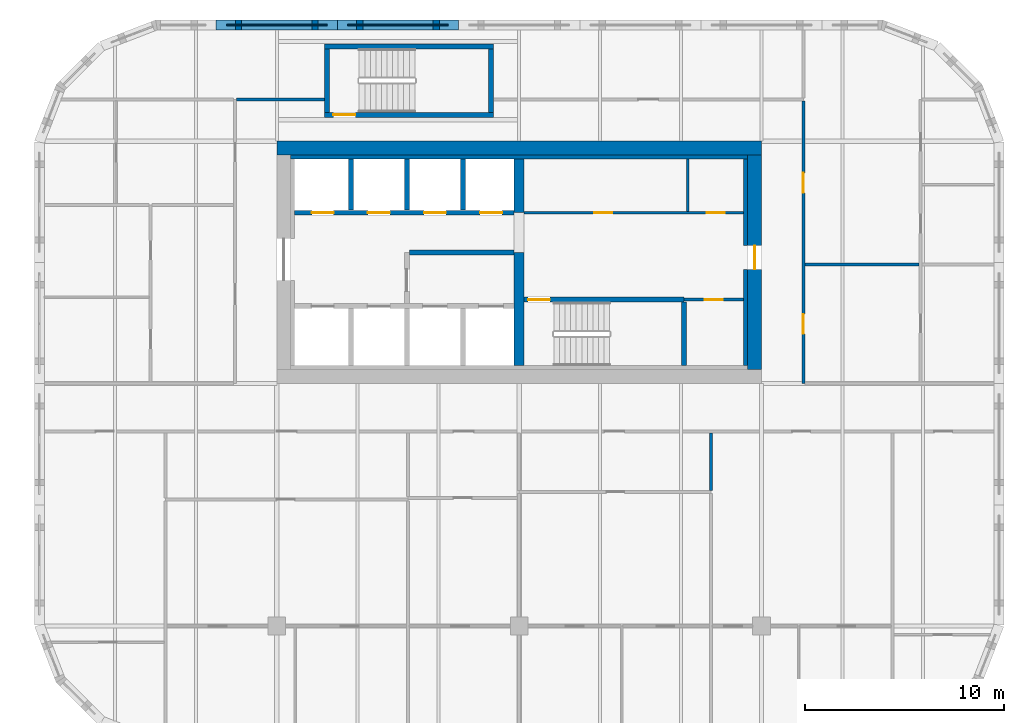
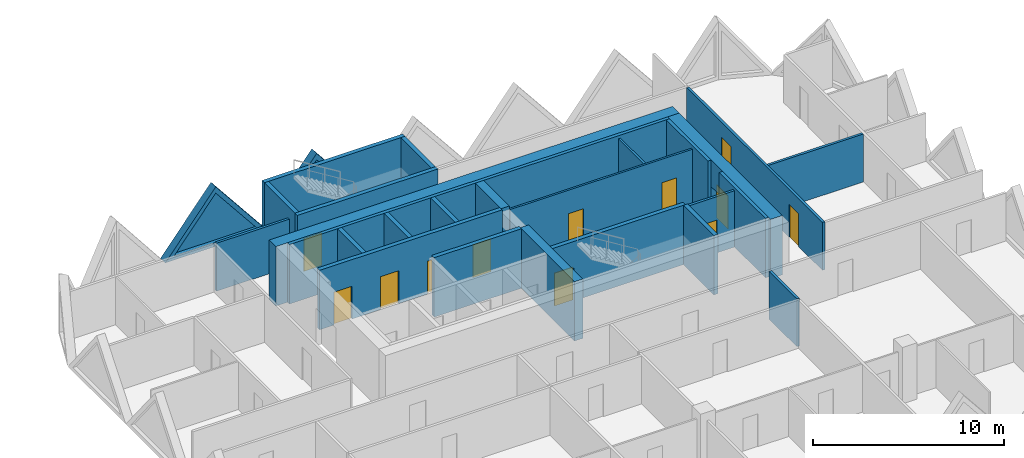
# One storey, part 14 of 19: 27 walls, 12 doors, 2 plates, 14 openings.
"""IFC4 building model written with IfcOpenShell, lengths in metres."""

from ifc_helpers import new_model, si_unit, direction, frame, frame_2d, origin, place, context, subcontext, project, spatial, polyline, rectangle, outline, extrude, faceted_brep, source, transform, mapped, material, layer, layer_set, type_object, element, fill, save


model = new_model("IFC4")

# Units and contexts
model_context = context("Model", 3, precision=1e-05, world=origin(), true_north=direction((0.0, 1.0)))
body_context = subcontext(model_context, "Body", "Model", "MODEL_VIEW")
ifc_project = project(units=[si_unit("LENGTHUNIT", "METRE"), si_unit("AREAUNIT", "SQUARE_METRE"), si_unit("VOLUMEUNIT", "CUBIC_METRE"), si_unit("PLANEANGLEUNIT", "RADIAN"), si_unit("MASSUNIT", "GRAM", prefix="KILO")], contexts=[model_context])

# Site, building, storey
site_placement = place(None, origin())
site = spatial("IfcSite", under=ifc_project, at=site_placement, CompositionType="ELEMENT")
building_placement = place(site_placement, origin())
building = spatial("IfcBuilding", under=site, at=building_placement, Name="Tessera Gate Towers", CompositionType="ELEMENT")
storey_placement = place(building_placement, frame((0.0, 0.0, 25.800048828125)))
storey = spatial("IfcBuildingStorey", under=building, at=storey_placement, Name="L05", CompositionType="ELEMENT", Elevation=25.800048828125)

# Wall, openings, doors
ifc_material_1 = material(Name="Concrete C40/50", Category="concrete")
ifc_layer_1 = layer(ifc_material_1, 0.25)
ifc_layer_set_1 = layer_set([ifc_layer_1], Name="CORE ENCLOSURE WALL 250")
wall_type_1 = type_object("IfcWallType", Name="CORE ENCLOSURE WALL 250", PredefinedType="SOLIDWALL", material=ifc_layer_set_1)
wall_1_placement = place(storey_placement, frame((109.550048828125, 45.199951171875, 0.0), z_axis=(0.0, 0.0, 1.0), x_axis=(-1.0, 0.0, 0.0)))
wall_1 = element("IfcWall", 1, at=wall_1_placement, inside=storey, type_object=wall_type_1, Name="L05 shaft and stair enclosure wall", PredefinedType="SOLIDWALL", context=body_context, shape_type="SweptSolid", body=[
    extrude(rectangle(XDim=11.050048828125, YDim=0.25, at=frame_2d((5.52490234375, 0.0))), origin(), (0.0, 0.0, 1.0), 3.800048828125),
])
shared_shape_1 = source(origin(), body_context, "Body", "SweptSolid", [
    extrude(rectangle(XDim=1.10009765625, YDim=2.10009765625, at=frame_2d((0.550048828125, 1.050048828125))), frame((0.0, 0.135009765625, 0.0), z_axis=(0.0, -1.0, 0.0), x_axis=(1.0, 0.0, 0.0)), (0.0, 0.0, 1.0), 0.27001953125),
])
opening_1_placement = place(wall_1_placement, frame((9.08740234375, 0.0, 0.0)))
opening_1 = element("IfcOpeningElement", 2, at=opening_1_placement, cuts=wall_1, Name="Opening LD-TL3", PredefinedType="OPENING", context=body_context, shape_type="MappedRepresentation", body=[
    mapped(shared_shape_1, transform((0.0, 0.0, 0.0), scale=1.0)),
])
opening_2_placement = place(wall_1_placement, frame((6.262451171875, 0.0, 0.0)))
opening_2 = element("IfcOpeningElement", 3, at=opening_2_placement, cuts=wall_1, Name="Opening LD-TL4", PredefinedType="OPENING", context=body_context, shape_type="MappedRepresentation", body=[
    mapped(shared_shape_1, transform((0.0, 0.0, 0.0), scale=1.0)),
])
opening_3_placement = place(wall_1_placement, frame((3.4375, 0.0, 0.0)))
opening_3 = element("IfcOpeningElement", 4, at=opening_3_placement, cuts=wall_1, Name="Opening LD-TL5", PredefinedType="OPENING", context=body_context, shape_type="MappedRepresentation", body=[
    mapped(shared_shape_1, transform((0.0, 0.0, 0.0), scale=1.0)),
])
opening_4_placement = place(wall_1_placement, frame((0.612548828125, 0.0, 0.0)))
opening_4 = element("IfcOpeningElement", 5, at=opening_4_placement, cuts=wall_1, Name="Opening LD-TL6", PredefinedType="OPENING", context=body_context, shape_type="MappedRepresentation", body=[
    mapped(shared_shape_1, transform((0.0, 0.0, 0.0), scale=1.0)),
])
ifc_material_2 = material(Name="Stainless steel", Category="steel")
door_type_1 = type_object("IfcDoorType", Name="CORE DOOR LD 1100x2100", OperationType="DOUBLE_DOOR_SLIDING", PredefinedType="DOOR", material=ifc_material_2)
shared_shape_2 = source(origin(), body_context, "Body", "SweptSolid", [
    extrude(rectangle(XDim=1.10009765625, YDim=2.10009765625, at=frame_2d((0.550048828125, 1.050048828125))), frame((0.0, 0.02490234375, 0.0), z_axis=(0.0, -1.0, 0.0), x_axis=(1.0, 0.0, 0.0)), (0.0, 0.0, 1.0), 0.050048828125),
])
door_1_placement = place(opening_1_placement, origin())
door_1 = element("IfcDoor", 6, at=door_1_placement, inside=storey, type_object=door_type_1, Name="Landing door TL3 L05", OperationType="DOUBLE_DOOR_SLIDING", OverallHeight=2.10009765625, OverallWidth=1.10009765625, PredefinedType="DOOR", context=body_context, shape_type="MappedRepresentation", body=[
    mapped(shared_shape_2, transform((0.0, 0.0, 0.0), scale=1.0)),
])
fill(opening_1, door_1)
door_2_placement = place(opening_2_placement, origin())
door_2 = element("IfcDoor", 7, at=door_2_placement, inside=storey, type_object=door_type_1, Name="Landing door TL4 L05", OperationType="DOUBLE_DOOR_SLIDING", OverallHeight=2.10009765625, OverallWidth=1.10009765625, PredefinedType="DOOR", context=body_context, shape_type="MappedRepresentation", body=[
    mapped(shared_shape_2, transform((0.0, 0.0, 0.0), scale=1.0)),
])
fill(opening_2, door_2)
door_3_placement = place(opening_3_placement, origin())
door_3 = element("IfcDoor", 8, at=door_3_placement, inside=storey, type_object=door_type_1, Name="Landing door TL5 L05", OperationType="DOUBLE_DOOR_SLIDING", OverallHeight=2.10009765625, OverallWidth=1.10009765625, PredefinedType="DOOR", context=body_context, shape_type="MappedRepresentation", body=[
    mapped(shared_shape_2, transform((0.0, 0.0, 0.0), scale=1.0)),
])
fill(opening_3, door_3)
door_4_placement = place(opening_4_placement, origin())
door_4 = element("IfcDoor", 9, at=door_4_placement, inside=storey, type_object=door_type_1, Name="Landing door TL6 L05", OperationType="DOUBLE_DOOR_SLIDING", OverallHeight=2.10009765625, OverallWidth=1.10009765625, PredefinedType="DOOR", context=body_context, shape_type="MappedRepresentation", body=[
    mapped(shared_shape_2, transform((0.0, 0.0, 0.0), scale=1.0)),
])
fill(opening_4, door_4)

# Wall, opening, door
wall_2_placement = place(storey_placement, frame((118.10009765625, 40.824951171875, 0.0), z_axis=(0.0, 0.0, 1.0), x_axis=(-1.0, 0.0, 0.0)))
wall_2 = element("IfcWall", 10, at=wall_2_placement, inside=storey, type_object=wall_type_1, Name="L05 shaft and stair enclosure wall", PredefinedType="SOLIDWALL", context=body_context, shape_type="SweptSolid", body=[
    extrude(rectangle(XDim=8.050048828125, YDim=0.25, at=frame_2d((4.02490234375, 0.0))), origin(), (0.0, 0.0, 1.0), 3.800048828125),
])
opening_5_placement = place(wall_2_placement, frame((6.75, 0.0, 0.0)))
opening_5 = element("IfcOpeningElement", 11, at=opening_5_placement, cuts=wall_2, Name="Opening SD-ST6-1", PredefinedType="OPENING", context=body_context, shape_type="MappedRepresentation", body=[
    mapped(shared_shape_1, transform((0.0, 0.0, 0.0), scale=1.0)),
])
ifc_material_3 = material(Name="Hollow steel fire door", Category="steel")
door_type_2 = type_object("IfcDoorType", Name="CORE DOOR SD1100 1100x2100", OperationType="NOTDEFINED", PredefinedType="DOOR", material=ifc_material_3)
door_5_placement = place(opening_5_placement, origin())
door_5 = element("IfcDoor", 12, at=door_5_placement, inside=storey, type_object=door_type_2, Name="Stair door", OperationType="SINGLE_SWING_RIGHT", OverallHeight=2.10009765625, OverallWidth=1.10009765625, PredefinedType="DOOR", context=body_context, shape_type="MappedRepresentation", body=[
    mapped(shared_shape_2, transform((0.0, 0.0, 0.0), scale=1.0)),
])
fill(opening_5, door_5)

# Walls
wall_3_placement = place(storey_placement, frame((104.27490234375, 43.199951171875, 0.0), z_axis=(0.0, 0.0, 1.0), x_axis=(1.0, 0.0, 0.0)))
element("IfcWall", 13, at=wall_3_placement, inside=storey, type_object=wall_type_1, Name="L05 shaft and stair enclosure wall", PredefinedType="SOLIDWALL", context=body_context, shape_type="SweptSolid", body=[
    extrude(rectangle(XDim=5.275146484375, YDim=0.25, at=frame_2d((2.6376953125, 0.0))), origin(), (0.0, 0.0, 1.0), 3.800048828125),
])
wall_4_placement = place(storey_placement, frame((118.10009765625, 37.5, 0.0), z_axis=(0.0, 0.0, 1.0), x_axis=(0.0, 1.0, 0.0)))
element("IfcWall", 14, at=wall_4_placement, inside=storey, type_object=wall_type_1, Name="L05 shaft and stair enclosure wall", PredefinedType="SOLIDWALL", context=body_context, shape_type="SweptSolid", body=[
    extrude(rectangle(XDim=3.199951171875, YDim=0.25, at=frame_2d((1.60009765625, 0.0))), origin(), (0.0, 0.0, 1.0), 3.800048828125),
])
for number, where, z_axis, x_axis, name in (
    (15, (101.324951171875, 45.324951171875, 0.0), (0.0, 0.0, 1.0), (0.0, 1.0, 0.0), "L05 shaft and stair enclosure wall"),
    (16, (104.14990234375, 45.324951171875, 0.0), (0.0, 0.0, 1.0), (0.0, 1.0, 0.0), "L05 shaft and stair enclosure wall"),
    (17, (106.97509765625, 45.324951171875, 0.0), (0.0, 0.0, 1.0), (0.0, 1.0, 0.0), "L05 shaft and stair enclosure wall"),
):
    element("IfcWall", number, at=place(storey_placement, frame(where, z_axis=z_axis, x_axis=x_axis)), inside=storey, type_object=wall_type_1, Name=name, PredefinedType="SOLIDWALL", context=body_context, shape_type="SweptSolid", body=[
        extrude(rectangle(XDim=2.574951171875, YDim=0.25, at=frame_2d((1.28759765625, 0.0))), origin(), (0.0, 0.0, 1.0), 3.800048828125),
    ])

# Wall, opening, door
wall_5_placement = place(storey_placement, frame((108.5, 50.125, 0.0), z_axis=(0.0, 0.0, 1.0), x_axis=(-1.0, 0.0, 0.0)))
wall_5 = element("IfcWall", 18, at=wall_5_placement, inside=storey, type_object=wall_type_1, Name="L05 ST7 enclosure wall", PredefinedType="SOLIDWALL", context=body_context, shape_type="SweptSolid", body=[
    extrude(rectangle(XDim=8.5, YDim=0.25, at=frame_2d((4.25, 0.0))), origin(), (0.0, 0.0, 1.0), 3.800048828125),
])
opening_6_placement = place(wall_5_placement, frame((6.949951171875, 0.0, 0.0)))
opening_6 = element("IfcOpeningElement", 19, at=opening_6_placement, cuts=wall_5, Name="Opening SD-ST7-1", PredefinedType="OPENING", context=body_context, shape_type="MappedRepresentation", body=[
    mapped(shared_shape_1, transform((0.0, 0.0, 0.0), scale=1.0)),
])
door_6_placement = place(opening_6_placement, origin())
door_6 = element("IfcDoor", 20, at=door_6_placement, inside=storey, type_object=door_type_2, Name="Stair door", OperationType="SINGLE_SWING_RIGHT", OverallHeight=2.10009765625, OverallWidth=1.10009765625, PredefinedType="DOOR", context=body_context, shape_type="MappedRepresentation", body=[
    mapped(shared_shape_2, transform((0.0, 0.0, 0.0), scale=1.0)),
])
fill(opening_6, door_6)

# Walls
wall_6_placement = place(storey_placement, frame((100.125, 50.25, 0.0), z_axis=(0.0, 0.0, 1.0), x_axis=(0.0, 1.0, 0.0)))
element("IfcWall", 21, at=wall_6_placement, inside=storey, type_object=wall_type_1, Name="L05 ST7 enclosure wall", PredefinedType="SOLIDWALL", context=body_context, shape_type="SweptSolid", body=[
    extrude(rectangle(XDim=3.199951171875, YDim=0.25, at=frame_2d((1.60009765625, 0.0))), origin(), (0.0, 0.0, 1.0), 3.800048828125),
])
wall_7_placement = place(storey_placement, frame((100.0, 53.574951171875, 0.0), z_axis=(0.0, 0.0, 1.0), x_axis=(1.0, 0.0, 0.0)))
element("IfcWall", 22, at=wall_7_placement, inside=storey, type_object=wall_type_1, Name="L05 ST7 enclosure wall", PredefinedType="SOLIDWALL", context=body_context, shape_type="SweptSolid", body=[
    extrude(rectangle(XDim=8.5, YDim=0.25, at=frame_2d((4.25, 0.0))), origin(), (0.0, 0.0, 1.0), 3.800048828125),
])
wall_8_placement = place(storey_placement, frame((108.375, 53.449951171875, 0.0), z_axis=(0.0, 0.0, 1.0), x_axis=(0.0, -1.0, 0.0)))
element("IfcWall", 23, at=wall_8_placement, inside=storey, type_object=wall_type_1, Name="L05 ST7 enclosure wall", PredefinedType="SOLIDWALL", context=body_context, shape_type="SweptSolid", body=[
    extrude(rectangle(XDim=3.199951171875, YDim=0.25, at=frame_2d((1.60009765625, 0.0))), origin(), (0.0, 0.0, 1.0), 3.800048828125),
])

# Wall, openings, doors
ifc_material_4 = material(Name="Gypsum board on steel studs", Category="steel")
ifc_layer_2 = layer(ifc_material_4, 0.1201171875)
ifc_layer_set_2 = layer_set([ifc_layer_2], Name="CORE PARTITION 120")
wall_type_2 = type_object("IfcWallType", Name="CORE PARTITION 120", PredefinedType="PARTITIONING", material=ifc_layer_set_2)
wall_9_placement = place(storey_placement, frame((110.050048828125, 45.199951171875, 0.0), z_axis=(0.0, 0.0, 1.0), x_axis=(1.0, 0.0, 0.0)))
wall_9 = element("IfcWall", 24, at=wall_9_placement, inside=storey, type_object=wall_type_2, Name="L05 core partition", PredefinedType="PARTITIONING", context=body_context, shape_type="SweptSolid", body=[
    extrude(rectangle(XDim=11.050048828125, YDim=0.1201171875, at=frame_2d((5.52490234375, 0.0))), origin(), (0.0, 0.0, 1.0), 3.599853515625),
])
shared_shape_3 = source(origin(), body_context, "Body", "SweptSolid", [
    extrude(rectangle(XDim=0.89990234375, YDim=2.10009765625, at=frame_2d((0.449951171875, 1.050048828125))), frame((0.0, 0.070068359375, 0.0), z_axis=(0.0, -1.0, 0.0), x_axis=(1.0, 0.0, 0.0)), (0.0, 0.0, 1.0), 0.14013671875),
])
opening_7_placement = place(wall_9_placement, frame((3.53759765625, 0.0, 0.0)))
opening_7 = element("IfcOpeningElement", 25, at=opening_7_placement, cuts=wall_9, Name="Opening RD-T2-06-04", PredefinedType="OPENING", context=body_context, shape_type="MappedRepresentation", body=[
    mapped(shared_shape_3, transform((0.0, 0.0, 0.0), scale=1.0)),
])
opening_8_placement = place(wall_9_placement, frame((9.1875, 0.0, 0.0)))
opening_8 = element("IfcOpeningElement", 26, at=opening_8_placement, cuts=wall_9, Name="Opening RD-T2-06-05", PredefinedType="OPENING", context=body_context, shape_type="MappedRepresentation", body=[
    mapped(shared_shape_3, transform((0.0, 0.0, 0.0), scale=1.0)),
])
ifc_material_5 = material(Name="Hollow steel fire door", Category="steel")
door_type_3 = type_object("IfcDoorType", Name="CORE DOOR RD 900x2100", OperationType="NOTDEFINED", PredefinedType="DOOR", material=ifc_material_5)
shared_shape_4 = source(origin(), body_context, "Body", "SweptSolid", [
    extrude(rectangle(XDim=0.89990234375, YDim=2.10009765625, at=frame_2d((0.449951171875, 1.050048828125))), frame((0.0, 0.02490234375, 0.0), z_axis=(0.0, -1.0, 0.0), x_axis=(1.0, 0.0, 0.0)), (0.0, 0.0, 1.0), 0.050048828125),
])
door_7_placement = place(opening_7_placement, origin())
door_7 = element("IfcDoor", 27, at=door_7_placement, inside=storey, type_object=door_type_3, Name="Core room door", OperationType="SINGLE_SWING_LEFT", OverallHeight=2.10009765625, OverallWidth=0.89990234375, PredefinedType="DOOR", context=body_context, shape_type="MappedRepresentation", body=[
    mapped(shared_shape_4, transform((0.0, 0.0, 0.0), scale=1.0)),
])
fill(opening_7, door_7)
door_8_placement = place(opening_8_placement, origin())
door_8 = element("IfcDoor", 28, at=door_8_placement, inside=storey, type_object=door_type_3, Name="Core room door", OperationType="SINGLE_SWING_RIGHT", OverallHeight=2.10009765625, OverallWidth=0.89990234375, PredefinedType="DOOR", context=body_context, shape_type="MappedRepresentation", body=[
    mapped(shared_shape_4, transform((0.0, 0.0, 0.0), scale=1.0)),
])
fill(opening_8, door_8)

# Walls
wall_10_placement = place(storey_placement, frame((118.27490234375, 45.260009765625, 0.0), z_axis=(0.0, 0.0, 1.0), x_axis=(0.0, 1.0, 0.0)))
element("IfcWall", 29, at=wall_10_placement, inside=storey, type_object=wall_type_2, Name="L05 core partition", PredefinedType="PARTITIONING", context=body_context, shape_type="SweptSolid", body=[
    extrude(rectangle(XDim=2.639892578125, YDim=0.1201171875, at=frame_2d((1.31982421875, 0.0))), origin(), (0.0, 0.0, 1.0), 3.599853515625),
])
ifc_material_6 = material(Name="Concrete C60/75", Category="concrete")
ifc_layer_3 = layer(ifc_material_6, 0.699951171875)
ifc_layer_set_3 = layer_set([ifc_layer_3], Name="CORE SHEAR WALL 700 C60/75")
wall_type_3 = type_object("IfcWallType", Name="CORE SHEAR WALL 700 C60/75", PredefinedType="SHEAR", material=ifc_layer_set_3)
wall_11_placement = place(storey_placement, frame((97.60009765625, 48.449951171875, 0.0), z_axis=(0.0, 0.0, 1.0), x_axis=(1.0, 0.0, 0.0)))
element("IfcWall", 30, at=wall_11_placement, inside=storey, type_object=wall_type_3, Name="Core wall N L05", PredefinedType="SHEAR", context=body_context, shape_type="SweptSolid", body=[
    extrude(rectangle(XDim=24.39990234375, YDim=0.699951171875, at=frame_2d((12.199951171875, 0.0))), origin(), (0.0, 0.0, 1.0), 3.800048828125),
])

# Wall, opening, door
wall_12_placement = place(storey_placement, frame((121.64990234375, 48.10009765625, 0.0), z_axis=(0.0, 0.0, 1.0), x_axis=(0.0, -1.0, 0.0)))
wall_12 = element("IfcWall", 31, at=wall_12_placement, inside=storey, type_object=wall_type_3, Name="Core wall E L05", PredefinedType="SHEAR", context=body_context, shape_type="SweptSolid", body=[
    extrude(rectangle(XDim=10.800048828125, YDim=0.699951171875, at=frame_2d((5.39990234375, 0.0))), origin(), (0.0, 0.0, 1.0), 3.800048828125),
])
shared_shape_5 = source(origin(), body_context, "Body", "SweptSolid", [
    extrude(rectangle(XDim=1.199951171875, YDim=2.10009765625, at=frame_2d((0.60009765625, 1.050048828125))), frame((0.0, 0.35986328125, 0.0), z_axis=(0.0, -1.0, 0.0), x_axis=(1.0, 0.0, 0.0)), (0.0, 0.0, 1.0), 0.719970703125),
])
opening_9_placement = place(wall_12_placement, frame((4.550048828125, 0.0, 0.0)))
opening_9 = element("IfcOpeningElement", 32, at=opening_9_placement, cuts=wall_12, Name="Opening ED-T2-06-02", PredefinedType="OPENING", context=body_context, shape_type="MappedRepresentation", body=[
    mapped(shared_shape_5, transform((0.0, 0.0, 0.0), scale=1.0)),
])
ifc_material_7 = material(Name="Hollow steel fire door", Category="steel")
door_type_4 = type_object("IfcDoorType", Name="CORE DOOR ED 1200x2100", OperationType="NOTDEFINED", PredefinedType="DOOR", material=ifc_material_7)
shared_shape_6 = source(origin(), body_context, "Body", "SweptSolid", [
    extrude(rectangle(XDim=1.199951171875, YDim=2.10009765625, at=frame_2d((0.60009765625, 1.050048828125))), frame((0.0, 0.02490234375, 0.0), z_axis=(0.0, -1.0, 0.0), x_axis=(1.0, 0.0, 0.0)), (0.0, 0.0, 1.0), 0.050048828125),
])
door_9_placement = place(opening_9_placement, origin())
door_9 = element("IfcDoor", 33, at=door_9_placement, inside=storey, type_object=door_type_4, Name="Core exit door", OperationType="SINGLE_SWING_LEFT", OverallHeight=2.10009765625, OverallWidth=1.199951171875, PredefinedType="DOOR", context=body_context, shape_type="MappedRepresentation", body=[
    mapped(shared_shape_6, transform((0.0, 0.0, 0.0), scale=1.0)),
])
fill(opening_9, door_9)

# Walls
ifc_material_8 = material(Name="Concrete C60/75", Category="concrete")
ifc_layer_4 = layer(ifc_material_8, 0.5)
ifc_layer_set_4 = layer_set([ifc_layer_4], Name="CORE SPINE WALL 500 C60/75")
wall_type_4 = type_object("IfcWallType", Name="CORE SPINE WALL 500 C60/75", PredefinedType="SHEAR", material=ifc_layer_set_4)
wall_13_placement = place(storey_placement, frame((109.800048828125, 37.5, 0.0), z_axis=(0.0, 0.0, 1.0), x_axis=(0.0, 1.0, 0.0)))
element("IfcWall", 34, at=wall_13_placement, inside=storey, type_object=wall_type_4, Name="Core wall spine L05", PredefinedType="SHEAR", context=body_context, shape_type="SweptSolid", body=[
    extrude(rectangle(XDim=5.699951171875, YDim=0.5, at=frame_2d((2.85009765625, 0.0))), origin(), (0.0, 0.0, 1.0), 3.800048828125),
])
wall_14_placement = place(storey_placement, frame((109.800048828125, 45.199951171875, 0.0), z_axis=(0.0, 0.0, 1.0), x_axis=(0.0, 1.0, 0.0)))
element("IfcWall", 35, at=wall_14_placement, inside=storey, type_object=wall_type_4, Name="Core wall spine L05", PredefinedType="SHEAR", context=body_context, shape_type="SweptSolid", body=[
    extrude(rectangle(XDim=2.699951171875, YDim=0.5, at=frame_2d((1.35009765625, 0.0))), origin(), (0.0, 0.0, 1.0), 3.800048828125),
])
ifc_material_9 = material(Name="Concrete C60/75", Category="concrete")
ifc_layer_5 = layer(ifc_material_9, 0.199951171875)
ifc_layer_set_5 = layer_set([ifc_layer_5], Name="CORE WALL THICKENING 200")
wall_type_5 = type_object("IfcWallType", Name="CORE WALL THICKENING 200", PredefinedType="SOLIDWALL", material=ifc_layer_set_5)
wall_15_placement = place(storey_placement, frame((98.300048828125, 48.0, 0.0), z_axis=(0.0, 0.0, 1.0), x_axis=(1.0, 0.0, 0.0)))
element("IfcWall", 36, at=wall_15_placement, inside=storey, type_object=wall_type_5, Name="Core wall thickening N L05", PredefinedType="SOLIDWALL", context=body_context, shape_type="SweptSolid", body=[
    extrude(rectangle(XDim=23.0, YDim=0.199951171875, at=frame_2d((11.5, 0.0))), origin(), (0.0, 0.0, 1.0), 3.800048828125),
])
wall_16_placement = place(storey_placement, frame((121.199951171875, 37.5, 0.0), z_axis=(0.0, 0.0, 1.0), x_axis=(0.0, 1.0, 0.0)))
element("IfcWall", 37, at=wall_16_placement, inside=storey, type_object=wall_type_5, Name="Core wall thickening E L05", PredefinedType="SOLIDWALL", context=body_context, shape_type="SweptSolid", body=[
    extrude(rectangle(XDim=4.85009765625, YDim=0.199951171875, at=frame_2d((2.425048828125, 0.0))), origin(), (0.0, 0.0, 1.0), 3.800048828125),
])
wall_17_placement = place(storey_placement, frame((121.199951171875, 43.550048828125, 0.0), z_axis=(0.0, 0.0, 1.0), x_axis=(0.0, 1.0, 0.0)))
element("IfcWall", 38, at=wall_17_placement, inside=storey, type_object=wall_type_5, Name="Core wall thickening E L05", PredefinedType="SOLIDWALL", context=body_context, shape_type="SweptSolid", body=[
    extrude(rectangle(XDim=4.349853515625, YDim=0.199951171875, at=frame_2d((2.1748046875, 0.0))), origin(), (0.0, 0.0, 1.0), 3.800048828125),
])

# Wall, openings, doors
ifc_material_10 = material(Name="Gypsum board on steel studs, mineral wool", Category="steel")
ifc_layer_6 = layer(ifc_material_10, 0.14990234375)
ifc_layer_set_6 = layer_set([ifc_layer_6], Name="CORRIDOR WALL 150")
wall_type_6 = type_object("IfcWallType", Name="CORRIDOR WALL 150", PredefinedType="PARTITIONING", material=ifc_layer_set_6)
wall_18_placement = place(storey_placement, frame((124.10009765625, 50.823974609375, 0.0), z_axis=(0.0, 0.0, 1.0), x_axis=(0.0, -1.0, 0.0)))
wall_18 = element("IfcWall", 39, at=wall_18_placement, inside=storey, type_object=wall_type_6, Name="T2-L05-PW-030", PredefinedType="PARTITIONING", context=body_context, shape_type="SweptSolid", body=[
    extrude(rectangle(XDim=14.223876953125, YDim=0.14990234375, at=frame_2d((7.11181640625, 0.0))), origin(), (0.0, 0.0, 1.0), 3.06689453125),
])
shared_shape_7 = source(origin(), body_context, "Body", "SweptSolid", [
    extrude(rectangle(XDim=1.0, YDim=2.10009765625, at=frame_2d((0.5, 1.050048828125))), frame((0.0, 0.0849609375, 0.0), z_axis=(0.0, -1.0, 0.0), x_axis=(1.0, 0.0, 0.0)), (0.0, 0.0, 1.0), 0.169921875),
])
opening_10_placement = place(wall_18_placement, frame((3.6240234375, 0.0, 0.0)))
opening_10 = element("IfcOpeningElement", 40, at=opening_10_placement, cuts=wall_18, Name="Opening D2100FD60-B03-02", PredefinedType="OPENING", context=body_context, shape_type="MappedRepresentation", body=[
    mapped(shared_shape_7, transform((0.0, 0.0, 0.0), scale=1.0)),
])
opening_11_placement = place(wall_18_placement, frame((10.72412109375, 0.0, 0.0)))
opening_11 = element("IfcOpeningElement", 41, at=opening_11_placement, cuts=wall_18, Name="Opening D2100FD60-B03-04", PredefinedType="OPENING", context=body_context, shape_type="MappedRepresentation", body=[
    mapped(shared_shape_7, transform((0.0, 0.0, 0.0), scale=1.0)),
])
ifc_material_11 = material(Name="Timber door leaf in steel frame", Category="steel")
door_type_5 = type_object("IfcDoorType", Name="TENANCY ENTRANCE DOOR 1000 FD60", OperationType="NOTDEFINED", PredefinedType="DOOR", material=ifc_material_11)
shared_shape_8 = source(origin(), body_context, "Body", "SweptSolid", [
    extrude(rectangle(XDim=1.0, YDim=2.10009765625, at=frame_2d((0.5, 1.050048828125))), frame((0.0, 0.02490234375, 0.0), z_axis=(0.0, -1.0, 0.0), x_axis=(1.0, 0.0, 0.0)), (0.0, 0.0, 1.0), 0.050048828125),
])
door_10_placement = place(opening_10_placement, origin())
door_10 = element("IfcDoor", 42, at=door_10_placement, inside=storey, type_object=door_type_5, Name="T2-L05-PD-021", OperationType="SINGLE_SWING_RIGHT", OverallHeight=2.10009765625, OverallWidth=1.0, PredefinedType="DOOR", context=body_context, shape_type="MappedRepresentation", body=[
    mapped(shared_shape_8, transform((0.0, 0.0, 0.0), scale=1.0)),
])
fill(opening_10, door_10)
door_11_placement = place(opening_11_placement, origin())
door_11 = element("IfcDoor", 43, at=door_11_placement, inside=storey, type_object=door_type_5, Name="T2-L05-PD-025", OperationType="SINGLE_SWING_RIGHT", OverallHeight=2.10009765625, OverallWidth=1.0, PredefinedType="DOOR", context=body_context, shape_type="MappedRepresentation", body=[
    mapped(shared_shape_8, transform((0.0, 0.0, 0.0), scale=1.0)),
])
fill(opening_11, door_11)

# Wall
wall_19_placement = place(storey_placement, frame((95.575927734375, 50.89990234375, 0.0), z_axis=(0.0, 0.0, 1.0), x_axis=(1.0, 0.0, 0.0)))
element("IfcWall", 44, at=wall_19_placement, inside=storey, type_object=wall_type_6, Name="T2-L05-PW-042", PredefinedType="PARTITIONING", context=body_context, shape_type="SweptSolid", body=[
    extrude(rectangle(XDim=4.424072265625, YDim=0.14990234375, at=frame_2d((2.2119140625, 0.0))), origin(), (0.0, 0.0, 1.0), 3.06689453125),
])

# Wall, opening, door
ifc_material_12 = material(Name="Gypsum board on steel studs", Category="steel")
ifc_layer_7 = layer(ifc_material_12, 0.14990234375)
ifc_layer_set_7 = layer_set([ifc_layer_7], Name="SERVICE ROOM WALL 150")
wall_type_7 = type_object("IfcWallType", Name="SERVICE ROOM WALL 150", PredefinedType="PARTITIONING", material=ifc_layer_set_7)
wall_20_placement = place(storey_placement, frame((121.10009765625, 40.824951171875, 0.0), z_axis=(0.0, 0.0, 1.0), x_axis=(-1.0, 0.0, 0.0)))
wall_20 = element("IfcWall", 45, at=wall_20_placement, inside=storey, type_object=wall_type_7, Name="L05 service room wall", PredefinedType="PARTITIONING", context=body_context, shape_type="SweptSolid", body=[
    extrude(rectangle(XDim=3.0, YDim=0.14990234375, at=frame_2d((1.5, 0.0))), origin(), (0.0, 0.0, 1.0), 3.599853515625),
])
shared_shape_9 = source(origin(), body_context, "Body", "SweptSolid", [
    extrude(rectangle(XDim=0.89990234375, YDim=2.10009765625, at=frame_2d((0.449951171875, 1.050048828125))), frame((0.0, 0.0849609375, 0.0), z_axis=(0.0, -1.0, 0.0), x_axis=(1.0, 0.0, 0.0)), (0.0, 0.0, 1.0), 0.169921875),
])
opening_12_placement = place(wall_20_placement, frame((1.050048828125, 0.0, 0.0)))
opening_12 = element("IfcOpeningElement", 46, at=opening_12_placement, cuts=wall_20, Name="Opening RD-T2-06-06", PredefinedType="OPENING", context=body_context, shape_type="MappedRepresentation", body=[
    mapped(shared_shape_9, transform((0.0, 0.0, 0.0), scale=1.0)),
])
door_12_placement = place(opening_12_placement, origin())
door_12 = element("IfcDoor", 47, at=door_12_placement, inside=storey, type_object=door_type_3, Name="Core room door", OperationType="SINGLE_SWING_RIGHT", OverallHeight=2.10009765625, OverallWidth=0.89990234375, PredefinedType="DOOR", context=body_context, shape_type="MappedRepresentation", body=[
    mapped(shared_shape_4, transform((0.0, 0.0, 0.0), scale=1.0)),
])
fill(opening_12, door_12)

# Walls
ifc_material_13 = material(Name="Gypsum board on steel studs, mineral wool", Category="steel")
ifc_layer_8 = layer(ifc_material_13, 0.14990234375)
ifc_layer_set_8 = layer_set([ifc_layer_8], Name="TENANCY WALL 150")
wall_type_8 = type_object("IfcWallType", Name="TENANCY WALL 150", PredefinedType="PARTITIONING", material=ifc_layer_set_8)
wall_21_placement = place(storey_placement, frame((119.449951171875, 31.22607421875, 0.0), z_axis=(0.0, 0.0, 1.0), x_axis=(0.0, 1.0, 0.0)))
element("IfcWall", 48, at=wall_21_placement, inside=storey, type_object=wall_type_8, Name="T2-L05-PW-026", PredefinedType="PARTITIONING", context=body_context, shape_type="SweptSolid", body=[
    extrude(rectangle(XDim=2.89794921875, YDim=0.14990234375, at=frame_2d((1.448974609375, 0.0))), origin(), (0.0, 0.0, 1.0), 3.06689453125),
])
wall_22_placement = place(storey_placement, frame((124.176025390625, 42.60009765625, 0.0), z_axis=(0.0, 0.0, 1.0), x_axis=(1.0, 0.0, 0.0)))
element("IfcWall", 49, at=wall_22_placement, inside=storey, type_object=wall_type_8, Name="T2-L05-PW-035", PredefinedType="PARTITIONING", context=body_context, shape_type="SweptSolid", body=[
    extrude(rectangle(XDim=5.748046875, YDim=0.14990234375, at=frame_2d((2.8740234375, 0.0))), origin(), (0.0, 0.0, 1.0), 3.06689453125),
])

# Wall, opening, plate
ifc_material_14 = material(Name="Precast concrete C60/75 white", Category="concrete")
ifc_layer_9 = layer(ifc_material_14, 0.5)
ifc_layer_set_9 = layer_set([ifc_layer_9], Name="TS2 half tessera")
wall_type_9 = type_object("IfcWallType", Name="TS2 half tessera", PredefinedType="SOLIDWALL", material=ifc_layer_set_9)
shared_shape_10 = source(origin(), body_context, "Body", "Brep", [
    faceted_brep([(6.099853515625, -0.25, 0.000244140625), (3.050048828125, -0.25, 3.800048828125), (0.0, -0.25, 0.0), (6.099853515625, -0.25, 0.0), (0.0, 0.25, 0.0), (3.050048828125, 0.25, 3.800048828125), (6.099853515625, 0.25, 0.000244140625), (6.099853515625, 0.25, 0.0)], [[[0, 1, 2, 3]], [[4, 5, 6, 7]], [[6, 5, 1, 0]], [[5, 4, 2, 1]], [[4, 7, 3, 2]], [[3, 7, 6, 0]]]),
])
wall_23_placement = place(storey_placement, frame((100.64990234375, 54.64990234375, 0.0), z_axis=(0.0, 0.0, 1.0), x_axis=(-1.0, 0.0, 0.0)))
wall_23 = element("IfcWall", 50, at=wall_23_placement, inside=storey, type_object=wall_type_9, Name="Precast half tessera T2 TS2-0049", PredefinedType="SOLIDWALL", context=body_context, shape_type="MappedRepresentation", body=[
    mapped(shared_shape_10, transform((0.0, 0.0, 0.0), scale=1.0)),
])
shared_shape_11 = source(origin(), body_context, "Body", "SweptSolid", [
    extrude(outline(polyline([(5.578857421875, 0.25), (3.050048828125, 3.400634765625), (0.521240234375, 0.25), (5.578857421875, 0.25)])), frame((0.0, 0.260009765625, 0.0), z_axis=(0.0, -1.0, 0.0), x_axis=(1.0, 0.0, 0.0)), (0.0, 0.0, 1.0), 0.52001953125),
])
opening_13_placement = place(wall_23_placement, origin())
opening_13 = element("IfcOpeningElement", 51, at=opening_13_placement, cuts=wall_23, Name="Opening T2-PL1-0091", PredefinedType="OPENING", context=body_context, shape_type="MappedRepresentation", body=[
    mapped(shared_shape_11, transform((0.0, 0.0, 0.0), scale=1.0)),
])
ifc_material_15 = material(Name="Low-e laminated glass", Category="glass")
ifc_layer_10 = layer(ifc_material_15, 0.06005859375)
ifc_layer_set_10 = layer_set([ifc_layer_10], Name="PL1 triangular pane")
plate_type = type_object("IfcPlateType", Name="PL1 triangular pane", PredefinedType="SHEET", material=ifc_layer_set_10)
shared_shape_12 = source(origin(), body_context, "Body", "SweptSolid", [
    extrude(outline(polyline([(5.578857421875, 0.25), (3.050048828125, 3.400634765625), (0.521240234375, 0.25), (5.578857421875, 0.25)])), frame((0.0, 0.030029296875, 0.0), z_axis=(0.0, -1.0, 0.0), x_axis=(1.0, 0.0, 0.0)), (0.0, 0.0, 1.0), 0.06005859375),
])
plate_1_placement = place(opening_13_placement, origin())
plate_1 = element("IfcPlate", 52, at=plate_1_placement, inside=storey, type_object=plate_type, Name="Glass pane T2 PL1-0091", PredefinedType="SHEET", context=body_context, shape_type="MappedRepresentation", body=[
    mapped(shared_shape_12, transform((0.0, 0.0, 0.0), scale=1.0)),
])
fill(opening_13, plate_1)

shared_shape_13 = source(origin(), body_context, "Body", "SweptSolid", [
    extrude(outline(polyline([(6.10009765625, 0.0), (3.050048828125, 3.800048828125), (0.0, 0.0), (6.10009765625, 0.0)])), frame((0.0, 0.25, 0.0), z_axis=(0.0, -1.0, 0.0), x_axis=(1.0, 0.0, 0.0)), (0.0, 0.0, 1.0), 0.5),
])
wall_24_placement = place(storey_placement, frame((106.75, 54.64990234375, 0.0), z_axis=(0.0, 0.0, 1.0), x_axis=(-1.0, 0.0, 0.0)))
wall_24 = element("IfcWall", 53, at=wall_24_placement, inside=storey, type_object=wall_type_9, Name="Precast half tessera T2 TS2-0048", PredefinedType="SOLIDWALL", context=body_context, shape_type="MappedRepresentation", body=[
    mapped(shared_shape_13, transform((0.0, 0.0, 0.0), scale=1.0)),
])
opening_14_placement = place(wall_24_placement, origin())
opening_14 = element("IfcOpeningElement", 54, at=opening_14_placement, cuts=wall_24, Name="Opening T2-PL1-0090", PredefinedType="OPENING", context=body_context, shape_type="MappedRepresentation", body=[
    mapped(shared_shape_11, transform((0.0, 0.0, 0.0), scale=1.0)),
])
plate_2_placement = place(opening_14_placement, origin())
plate_2 = element("IfcPlate", 55, at=plate_2_placement, inside=storey, type_object=plate_type, Name="Glass pane T2 PL1-0090", PredefinedType="SHEET", context=body_context, shape_type="MappedRepresentation", body=[
    mapped(shared_shape_12, transform((0.0, 0.0, 0.0), scale=1.0)),
])
fill(opening_14, plate_2)

save(model, "model.ifc")
